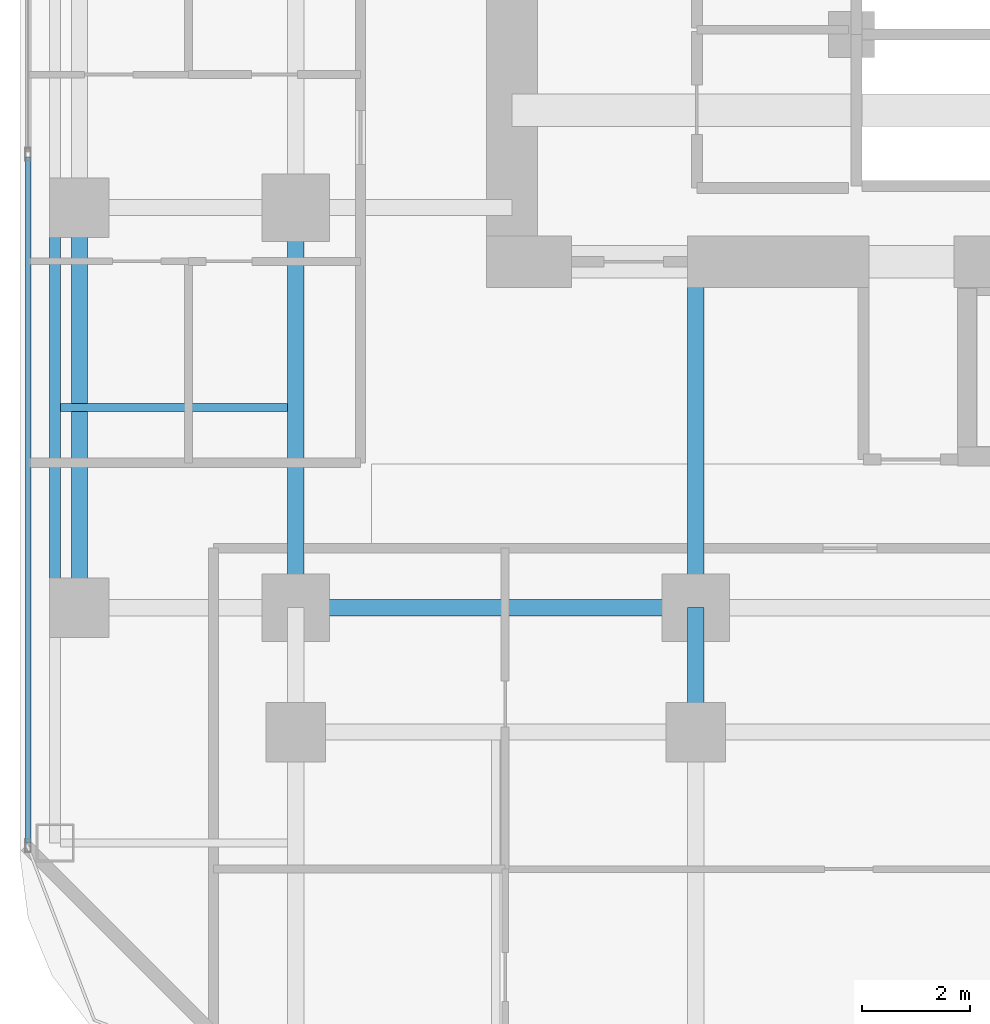
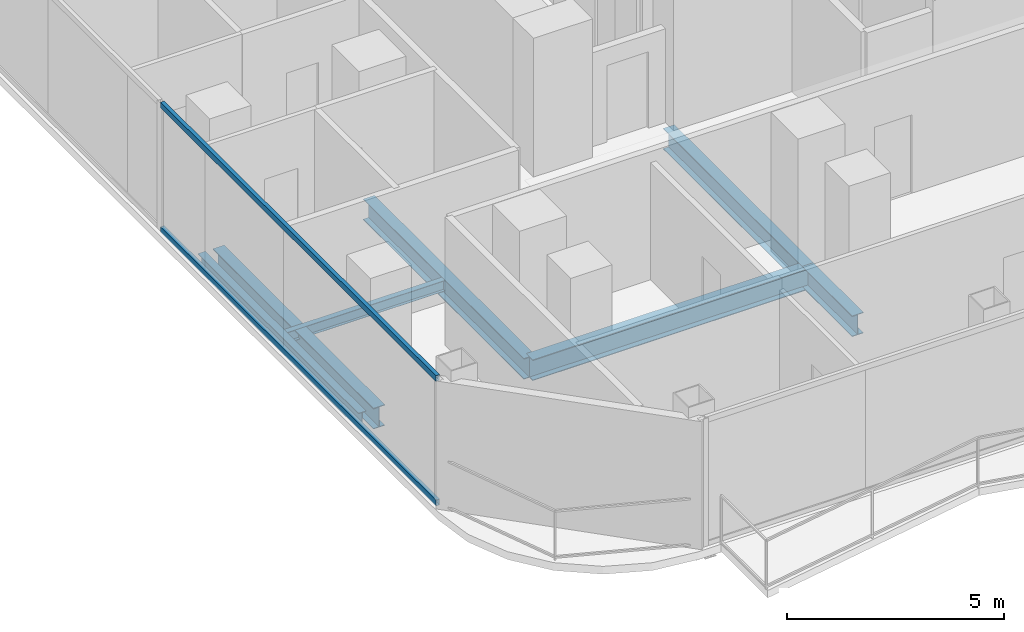
# One storey, part 3 of 27: 7 beams, 2 members, 1 element without a shape of its own.
"""IFC4 building model written with IfcOpenShell, lengths in metres."""

from ifc_helpers import new_model, si_unit, direction, frame, origin, origin_2d, place, context, subcontext, project, spatial, hollow_rectangle, i_section, extrude, material, layer, layer_set, material_profile, profile_set, type_object, element, aggregate, save


model = new_model("IFC4")

# Units and contexts
model_context = context("Model", 3, precision=1e-05, world=origin(), true_north=direction((0.0, 1.0)))
body_context = subcontext(model_context, "Body", "Model", "MODEL_VIEW")
ifc_project = project(units=[si_unit("LENGTHUNIT", "METRE"), si_unit("AREAUNIT", "SQUARE_METRE"), si_unit("VOLUMEUNIT", "CUBIC_METRE"), si_unit("PLANEANGLEUNIT", "RADIAN"), si_unit("MASSUNIT", "GRAM", prefix="KILO")], contexts=[model_context])

# Site, building, storey
site_placement = place(None, origin())
site = spatial("IfcSite", under=ifc_project, at=site_placement, CompositionType="ELEMENT")
building_placement = place(site_placement, origin())
building = spatial("IfcBuilding", under=site, at=building_placement, Name="Khorvyn Point Tower", CompositionType="ELEMENT")
storey_placement = place(building_placement, frame((0.0, 0.0, 152.39990234375)))
storey = spatial("IfcBuildingStorey", under=building, at=storey_placement, Name="L38", CompositionType="ELEMENT", Elevation=152.39990234375)

# Curtain wall, members
ifc_material_1 = material(Name="Anodised aluminium 6063-T6 and laminated Low-E glass", Category="aluminium")
ifc_layer = layer(ifc_material_1, 0.18994140625)
ifc_layer_set = layer_set([ifc_layer], Name="Stick-Built Acoustic Curtain Wall CW-SYS-03")
curtain_wall_type = type_object("IfcCurtainWallType", Name="Stick-Built Acoustic Curtain Wall CW-SYS-03", PredefinedType="NOTDEFINED", material=ifc_layer_set)
curtain_wall_placement = place(storey_placement, origin())
curtain_wall = element("IfcCurtainWall", 1, at=curtain_wall_placement, inside=storey, type_object=curtain_wall_type, Name="Curtain Wall", PredefinedType="NOTDEFINED")
ifc_material_2 = material(Name="Anodised aluminium 6063-T6", Category="aluminium")
ifc_material_profile_1 = material_profile(ifc_material_2, hollow_rectangle(XDim=0.10009765625, YDim=0.159912109375, WallThickness=0.00439453125, at=origin_2d()))
ifc_profile_set_1 = profile_set([ifc_material_profile_1], Name="Anodised aluminium 6063-T6 ALU-TRN-100x160")
member_type = type_object("IfcMemberType", Name="Anodised Aluminium 6063-T6 Transom ALU-TRN-100x160", PredefinedType="USERDEFINED", material=ifc_profile_set_1)
member_1_placement = place(storey_placement, frame((-19.75, -19.14990234375, 0.050048828125), z_axis=(0.0, 1.0, 0.0), x_axis=(-1.0, 0.0, 0.0)))
member_1 = element("IfcMember", 2, at=member_1_placement, type_object=member_type, Name="Transom", ObjectType="TRANSOM", PredefinedType="USERDEFINED", context=body_context, shape_type="SweptSolid", body=[
    extrude(hollow_rectangle(XDim=0.10009765625, YDim=0.159912109375, WallThickness=0.00439453125, at=origin_2d()), origin(), (0.0, 0.0, 1.0), 12.683349609375),
])
member_2_placement = place(storey_placement, frame((-19.75, -19.14990234375, 3.550048828125), z_axis=(0.0, 1.0, 0.0), x_axis=(-1.0, 0.0, 0.0)))
member_2 = element("IfcMember", 3, at=member_2_placement, type_object=member_type, Name="Transom", ObjectType="TRANSOM", PredefinedType="USERDEFINED", context=body_context, shape_type="SweptSolid", body=[
    extrude(hollow_rectangle(XDim=0.10009765625, YDim=0.159912109375, WallThickness=0.00439453125, at=origin_2d()), origin(), (0.0, 0.0, 1.0), 12.683349609375),
])
aggregate(curtain_wall, [member_1, member_2])

# Beams
ifc_material_3 = material(Name="Steel S355", Category="steel")
ifc_material_profile_2 = material_profile(ifc_material_3, i_section(OverallWidth=0.300048828125, OverallDepth=0.587890625, WebThickness=0.011962890625, FlangeThickness=0.02001953125, at=origin_2d()))
ifc_profile_set_2 = profile_set([ifc_material_profile_2], Name="Steel S355 H588x300x12x20")
beam_type_1 = type_object("IfcBeamType", Name="Steel S355 Beam H588x300x12x20", PredefinedType="BEAM", material=ifc_profile_set_2)
for number, where, z_axis, x_axis, name in (
    (4, (-14.800048828125, -14.800048828125, -0.513916015625), (1.0, 0.0, 0.0), (0.0, 1.0, 0.0), "Beam"),
    (5, (-14.800048828125, -14.800048828125, -0.513916015625), (0.0, 1.0, 0.0), (-1.0, 0.0, 0.0), "Beam"),
):
    element("IfcBeam", number, at=place(storey_placement, frame(where, z_axis=z_axis, x_axis=x_axis)), inside=storey, type_object=beam_type_1, Name=name, PredefinedType="BEAM", context=body_context, shape_type="SweptSolid", body=[
        extrude(i_section(OverallWidth=0.300048828125, OverallDepth=0.587890625, WebThickness=0.011962890625, FlangeThickness=0.02001953125, at=origin_2d()), origin(), (0.0, 0.0, 1.0), 7.400146484375),
    ])
beam_1_placement = place(storey_placement, frame((-7.39990234375, -17.10009765625, -0.513916015625), z_axis=(0.0, 1.0, 0.0), x_axis=(-1.0, 0.0, 0.0)))
element("IfcBeam", 6, at=beam_1_placement, inside=storey, type_object=beam_type_1, Name="Beam", PredefinedType="BEAM", context=body_context, shape_type="SweptSolid", body=[
    extrude(i_section(OverallWidth=0.300048828125, OverallDepth=0.587890625, WebThickness=0.011962890625, FlangeThickness=0.02001953125, at=origin_2d()), origin(), (0.0, 0.0, 1.0), 2.300048828125),
])
beam_2_placement = place(storey_placement, frame((-7.39990234375, -14.800048828125, -0.513916015625), z_axis=(0.0, 1.0, 0.0), x_axis=(-1.0, 0.0, 0.0)))
element("IfcBeam", 7, at=beam_2_placement, inside=storey, type_object=beam_type_1, Name="Beam", PredefinedType="BEAM", context=body_context, shape_type="SweptSolid", body=[
    extrude(i_section(OverallWidth=0.300048828125, OverallDepth=0.587890625, WebThickness=0.011962890625, FlangeThickness=0.02001953125, at=origin_2d()), origin(), (0.0, 0.0, 1.0), 6.400146484375),
])
beam_3_placement = place(storey_placement, frame((-18.800048828125, -14.800048828125, -0.513916015625), z_axis=(0.0, 1.0, 0.0), x_axis=(-1.0, 0.0, 0.0)))
element("IfcBeam", 8, at=beam_3_placement, inside=storey, type_object=beam_type_1, Name="Beam", PredefinedType="BEAM", context=body_context, shape_type="SweptSolid", body=[
    extrude(i_section(OverallWidth=0.300048828125, OverallDepth=0.587890625, WebThickness=0.011962890625, FlangeThickness=0.02001953125, at=origin_2d()), origin(), (0.0, 0.0, 1.0), 7.400146484375),
])
ifc_material_profile_3 = material_profile(ifc_material_3, i_section(OverallWidth=0.14990234375, OverallDepth=0.300048828125, WebThickness=0.006591796875, FlangeThickness=0.009033203125, at=origin_2d()))
ifc_profile_set_3 = profile_set([ifc_material_profile_3], Name="Steel S355 H300x150x6.5x9")
beam_type_2 = type_object("IfcBeamType", Name="Steel S355 Joist H300x150x6.5x9", PredefinedType="JOIST", material=ifc_profile_set_3)
beam_4_placement = place(storey_placement, frame((-19.14990234375, -11.10009765625, -0.369873046875), z_axis=(1.0, 0.0, 0.0), x_axis=(0.0, 1.0, 0.0)))
element("IfcBeam", 9, at=beam_4_placement, inside=storey, type_object=beam_type_2, Name="Beam", PredefinedType="JOIST", context=body_context, shape_type="SweptSolid", body=[
    extrude(i_section(OverallWidth=0.14990234375, OverallDepth=0.300048828125, WebThickness=0.006591796875, FlangeThickness=0.009033203125, at=origin_2d()), origin(), (0.0, 0.0, 1.0), 4.199951171875),
])
ifc_material_profile_4 = material_profile(ifc_material_3, i_section(OverallWidth=0.199951171875, OverallDepth=0.449951171875, WebThickness=0.009033203125, FlangeThickness=0.013916015625, at=origin_2d()))
ifc_profile_set_4 = profile_set([ifc_material_profile_4], Name="Steel S355 H450x200x9x14")
beam_type_3 = type_object("IfcBeamType", Name="Steel S355 Spandrel H450x200x9x14", PredefinedType="SPANDREL", material=ifc_profile_set_4)
beam_5_placement = place(storey_placement, frame((-19.25, -14.800048828125, -0.44482421875), z_axis=(0.0, 1.0, 0.0), x_axis=(-1.0, 0.0, 0.0)))
element("IfcBeam", 10, at=beam_5_placement, inside=storey, type_object=beam_type_3, Name="Beam", PredefinedType="SPANDREL", context=body_context, shape_type="SweptSolid", body=[
    extrude(i_section(OverallWidth=0.199951171875, OverallDepth=0.449951171875, WebThickness=0.009033203125, FlangeThickness=0.013916015625, at=origin_2d()), origin(), (0.0, 0.0, 1.0), 7.400146484375),
])

save(model, "model.ifc")
